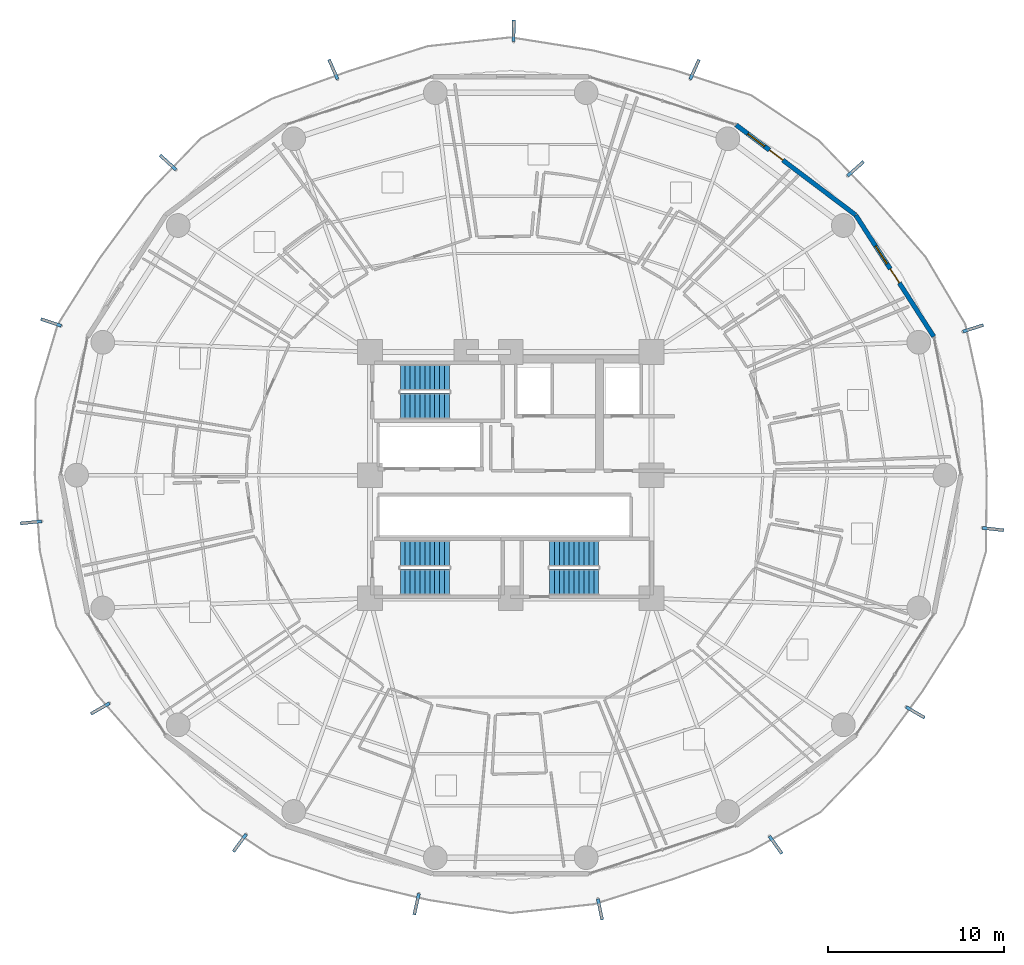
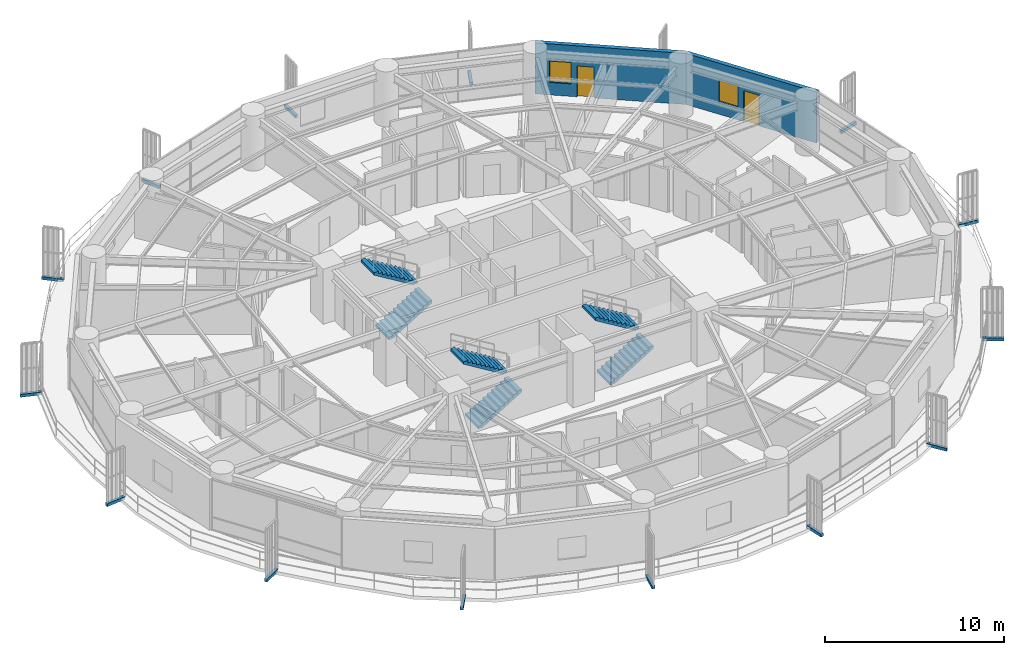
# One storey, part 31 of 35: 15 discrete accessories, 6 stair flights, 2 doors, 2 walls, 2 windows, 4 openings, 3 elements without a shape of their own.
"""IFC4 building model written with IfcOpenShell, lengths in metres."""

from ifc_helpers import new_model, si_unit, direction, frame, frame_2d, origin, origin_2d, place, context, subcontext, project, spatial, polyline, rectangle, outline, extrude, source, transform, mapped, material, layer, layer_set, type_object, element, fill, aggregate, save


model = new_model("IFC4")

# Units and contexts
model_context = context("Model", 3, precision=1e-05, world=origin(), true_north=direction((0.0, 1.0)))
body_context = subcontext(model_context, "Body", "Model", "MODEL_VIEW")
ifc_project = project(units=[si_unit("LENGTHUNIT", "METRE"), si_unit("AREAUNIT", "SQUARE_METRE"), si_unit("VOLUMEUNIT", "CUBIC_METRE"), si_unit("PLANEANGLEUNIT", "RADIAN"), si_unit("MASSUNIT", "GRAM", prefix="KILO")], contexts=[model_context])

# Site, building, storey
site_placement = place(None, origin())
site = spatial("IfcSite", under=ifc_project, at=site_placement, CompositionType="ELEMENT")
building_placement = place(site_placement, origin())
building = spatial("IfcBuilding", under=site, at=building_placement, Name="Kelanora Arch Commons", CompositionType="ELEMENT")
storey_placement = place(building_placement, frame((0.0, 0.0, 95.10009765625)))
storey = spatial("IfcBuildingStorey", under=building, at=storey_placement, Name="L24", CompositionType="ELEMENT", Elevation=95.10009765625)

# Wall, openings, door, window
ifc_material_1 = material(Name="Precast concrete C40/50 with terracotta rainscreen", Category="masonry")
ifc_layer = layer(ifc_material_1, 0.260009765625)
ifc_layer_set = layer_set([ifc_layer], Name="Precast concrete C40/50 with terracotta rainscreen")
wall_type = type_object("IfcWallType", Name="W-EXT-TC", PredefinedType="SOLIDWALL", material=ifc_layer_set)
wall_1_placement = place(storey_placement, frame((98.048095703125, 65.879150390625, 0.0), z_axis=(0.0, 0.0, 1.0), x_axis=(-0.540620528459, 0.841266571432, 0.0)))
wall_1 = element("IfcWall", 1, at=wall_1_placement, inside=storey, type_object=wall_type, Name="Terracotta Exterior Wall L24-B01", PredefinedType="SOLIDWALL", context=body_context, shape_type="SweptSolid", body=[
    extrude(rectangle(XDim=8.19287109375, YDim=0.260009765625, at=frame_2d((4.096435546875, 0.0))), origin(), (0.0, 0.0, 1.0), 3.474853515625),
])
opening_1_placement = place(wall_1_placement, frame((3.62109375, 0.0, 0.0)))
opening_1 = element("IfcOpeningElement", 2, at=opening_1_placement, cuts=wall_1, Name="Opening DB-01", PredefinedType="OPENING", context=body_context, shape_type="SweptSolid", body=[
    extrude(rectangle(XDim=0.949951171875, YDim=2.10009765625, at=frame_2d((0.47509765625, 1.050048828125))), frame((0.0, 0.14013671875, 0.0), z_axis=(0.0, -1.0, 0.0), x_axis=(1.0, 0.0, 0.0)), (0.0, 0.0, 1.0), 0.280029296875),
])
opening_2_placement = place(wall_1_placement, frame((4.9208984375, 0.0, 0.85009765625)))
opening_2 = element("IfcOpeningElement", 3, at=opening_2_placement, cuts=wall_1, Name="Opening WN-02", PredefinedType="OPENING", context=body_context, shape_type="SweptSolid", body=[
    extrude(rectangle(XDim=1.199951171875, YDim=1.449951171875, at=frame_2d((0.60009765625, 0.72509765625))), frame((0.0, 0.14013671875, 0.0), z_axis=(0.0, -1.0, 0.0), x_axis=(1.0, 0.0, 0.0)), (0.0, 0.0, 1.0), 0.280029296875),
])
ifc_material_2 = material(Name="Terracotta-aluminium thermally broken glazed balcony door", Category="masonry")
door_type = type_object("IfcDoorType", Name="D-BAL-10", OperationType="NOTDEFINED", PredefinedType="DOOR", material=ifc_material_2)
door_1_placement = place(opening_1_placement, frame((0.949951171875, 0.0, 0.0), z_axis=(0.0, 0.0, 1.0), x_axis=(-1.0, 0.0, 0.0)))
door_1 = element("IfcDoor", 4, at=door_1_placement, inside=storey, type_object=door_type, Name="Wave Balcony Door L24-B01", OperationType="SINGLE_SWING_RIGHT", OverallHeight=2.10009765625, OverallWidth=0.949951171875, PredefinedType="DOOR", context=body_context, shape_type="SweptSolid", body=[
    extrude(rectangle(XDim=0.949951171875, YDim=2.10009765625, at=frame_2d((0.47509765625, 1.050048828125))), frame((0.0, 0.02490234375, 0.0), z_axis=(0.0, -1.0, 0.0), x_axis=(1.0, 0.0, 0.0)), (0.0, 0.0, 1.0), 0.050048828125),
])
fill(opening_1, door_1)
ifc_material_3 = material(Name="Terracotta-anodised aluminium frame with operable awning sash", Category="masonry")
window_type = type_object("IfcWindowType", Name="WIN-CL-12", PartitioningType="SINGLE_PANEL", PredefinedType="WINDOW", material=ifc_material_3)
window_1_placement = place(opening_2_placement, origin())
window_1 = element("IfcWindow", 5, at=window_1_placement, inside=storey, type_object=window_type, Name="Co-Living Operable Window L24-B01", OverallHeight=1.449951171875, OverallWidth=1.199951171875, PartitioningType="SINGLE_PANEL", PredefinedType="WINDOW", context=body_context, shape_type="SweptSolid", body=[
    extrude(rectangle(XDim=1.199951171875, YDim=1.449951171875, at=frame_2d((0.60009765625, 0.72509765625))), frame((0.0, 0.030029296875, 0.0), z_axis=(0.0, -1.0, 0.0), x_axis=(1.0, 0.0, 0.0)), (0.0, 0.0, 1.0), 0.06005859375),
])
fill(opening_2, window_1)

wall_2_placement = place(storey_placement, frame((93.5986328125, 72.793212890625, 0.0), z_axis=(0.0, 0.0, 1.0), x_axis=(-0.798501507879, 0.601992808857, 0.0)))
wall_2 = element("IfcWall", 6, at=wall_2_placement, inside=storey, type_object=wall_type, Name="Terracotta Exterior Wall L24-B02", PredefinedType="SOLIDWALL", context=body_context, shape_type="SweptSolid", body=[
    extrude(rectangle(XDim=8.499267578125, YDim=0.260009765625, at=frame_2d((4.24951171875, 0.0))), origin(), (0.0, 0.0, 1.0), 3.474853515625),
])
opening_3_placement = place(wall_2_placement, frame((5.175048828125, 0.0, 0.0)))
opening_3 = element("IfcOpeningElement", 7, at=opening_3_placement, cuts=wall_2, Name="Opening DB-01", PredefinedType="OPENING", context=body_context, shape_type="SweptSolid", body=[
    extrude(rectangle(XDim=0.949951171875, YDim=2.10009765625, at=frame_2d((0.47509765625, 1.050048828125))), frame((0.0, 0.14013671875, 0.0), z_axis=(0.0, -1.0, 0.0), x_axis=(1.0, 0.0, 0.0)), (0.0, 0.0, 1.0), 0.280029296875),
])
opening_4_placement = place(wall_2_placement, frame((6.47509765625, 0.0, 0.85009765625)))
opening_4 = element("IfcOpeningElement", 8, at=opening_4_placement, cuts=wall_2, Name="Opening WN-02", PredefinedType="OPENING", context=body_context, shape_type="SweptSolid", body=[
    extrude(rectangle(XDim=1.199951171875, YDim=1.449951171875, at=frame_2d((0.60009765625, 0.72509765625))), frame((0.0, 0.14013671875, 0.0), z_axis=(0.0, -1.0, 0.0), x_axis=(1.0, 0.0, 0.0)), (0.0, 0.0, 1.0), 0.280029296875),
])
door_2_placement = place(opening_3_placement, frame((0.949951171875, 0.0, 0.0), z_axis=(0.0, 0.0, 1.0), x_axis=(-1.0, 0.0, 0.0)))
door_2 = element("IfcDoor", 9, at=door_2_placement, inside=storey, type_object=door_type, Name="Wave Balcony Door L24-B02", OperationType="SINGLE_SWING_LEFT", OverallHeight=2.10009765625, OverallWidth=0.949951171875, PredefinedType="DOOR", context=body_context, shape_type="SweptSolid", body=[
    extrude(rectangle(XDim=0.949951171875, YDim=2.10009765625, at=frame_2d((0.47509765625, 1.050048828125))), frame((0.0, 0.02490234375, 0.0), z_axis=(0.0, -1.0, 0.0), x_axis=(1.0, 0.0, 0.0)), (0.0, 0.0, 1.0), 0.050048828125),
])
fill(opening_3, door_2)
window_2_placement = place(opening_4_placement, origin())
window_2 = element("IfcWindow", 10, at=window_2_placement, inside=storey, type_object=window_type, Name="Co-Living Operable Window L24-B02", OverallHeight=1.449951171875, OverallWidth=1.199951171875, PartitioningType="SINGLE_PANEL", PredefinedType="WINDOW", context=body_context, shape_type="SweptSolid", body=[
    extrude(rectangle(XDim=1.199951171875, YDim=1.449951171875, at=frame_2d((0.60009765625, 0.72509765625))), frame((0.0, 0.030029296875, 0.0), z_axis=(0.0, -1.0, 0.0), x_axis=(1.0, 0.0, 0.0)), (0.0, 0.0, 1.0), 0.06005859375),
])
fill(opening_4, window_2)

# Stair, stair flights
ifc_material_4 = material(Name="Concrete C40/50", Category="concrete")
stair_type = type_object("IfcStairType", Name="STR-DL-375", PredefinedType="HALF_TURN_STAIR", material=ifc_material_4)
stair_1_placement = place(storey_placement, origin())
stair_1 = element("IfcStair", 11, at=stair_1_placement, inside=storey, type_object=stair_type, Name="L24 ST-T1", PredefinedType="HALF_TURN_STAIR")
stair_flight_type = type_object("IfcStairFlightType", Name="FLT-DL-375", PredefinedType="STRAIGHT", material=ifc_material_4)
stair_flight_1_placement = place(storey_placement, frame((67.719970703125, 61.919921875, 0.0), z_axis=(0.0, 0.0, 1.0), x_axis=(1.0, 0.0, 0.0)))
stair_flight_1 = element("IfcStairFlight", 12, at=stair_flight_1_placement, type_object=stair_flight_type, Name="ST-T1 flight 1", NumberOfRisers=11, NumberOfTreads=10, PredefinedType="STRAIGHT", RiserHeight=0.170454545, TreadLength=0.28, context=body_context, shape_type="SweptSolid", body=[
    extrude(outline(polyline([(0.0, 0.0), (0.0, 0.17041015625), (0.280029296875, 0.17041015625), (0.280029296875, 0.3408203125), (0.56005859375, 0.3408203125), (0.56005859375, 0.511474609375), (0.840087890625, 0.511474609375), (0.840087890625, 0.681884765625), (1.1201171875, 0.681884765625), (1.1201171875, 0.852294921875), (1.39990234375, 0.852294921875), (1.39990234375, 1.022705078125), (1.679931640625, 1.022705078125), (1.679931640625, 1.193115234375), (1.9599609375, 1.193115234375), (1.9599609375, 1.363525390625), (2.239990234375, 1.363525390625), (2.239990234375, 1.5341796875), (2.52001953125, 1.5341796875), (2.52001953125, 1.70458984375), (2.800048828125, 1.70458984375), (2.800048828125, 1.875), (2.800048828125, 1.529052734375), (0.288330078125, 0.0), (0.0, 0.0)])), frame((0.0, 0.739990234375, 0.0), z_axis=(0.0, -1.0, 0.0), x_axis=(1.0, 0.0, 0.0)), (0.0, 0.0, 1.0), 1.47998046875),
])
stair_flight_2_placement = place(storey_placement, frame((70.52001953125, 63.550048828125, 1.875), z_axis=(0.0, 0.0, 1.0), x_axis=(-1.0, 0.0, 0.0)))
stair_flight_2 = element("IfcStairFlight", 13, at=stair_flight_2_placement, type_object=stair_flight_type, Name="ST-T1 flight 2", NumberOfRisers=11, NumberOfTreads=10, PredefinedType="STRAIGHT", RiserHeight=0.170454545, TreadLength=0.28, context=body_context, shape_type="SweptSolid", body=[
    extrude(outline(polyline([(0.0, 0.0), (0.0, 0.17041015625), (0.280029296875, 0.17041015625), (0.280029296875, 0.3408203125), (0.56005859375, 0.3408203125), (0.56005859375, 0.511474609375), (0.840087890625, 0.511474609375), (0.840087890625, 0.681884765625), (1.1201171875, 0.681884765625), (1.1201171875, 0.852294921875), (1.39990234375, 0.852294921875), (1.39990234375, 1.022705078125), (1.679931640625, 1.022705078125), (1.679931640625, 1.193115234375), (1.9599609375, 1.193115234375), (1.9599609375, 1.363525390625), (2.239990234375, 1.363525390625), (2.239990234375, 1.5341796875), (2.52001953125, 1.5341796875), (2.52001953125, 1.70458984375), (2.800048828125, 1.70458984375), (2.800048828125, 1.875), (2.800048828125, 1.529052734375), (0.288330078125, 0.0), (0.0, 0.0)])), frame((0.0, 0.739990234375, 0.0), z_axis=(0.0, -1.0, 0.0), x_axis=(1.0, 0.0, 0.0)), (0.0, 0.0, 1.0), 1.47998046875),
])
aggregate(stair_1, [stair_flight_1, stair_flight_2])

stair_2_placement = place(storey_placement, origin())
stair_2 = element("IfcStair", 14, at=stair_2_placement, inside=storey, type_object=stair_type, Name="L24 ST-T2", PredefinedType="HALF_TURN_STAIR")
stair_flight_3_placement = place(storey_placement, frame((76.199951171875, 51.919921875, 0.0), z_axis=(0.0, 0.0, 1.0), x_axis=(1.0, 0.0, 0.0)))
stair_flight_3 = element("IfcStairFlight", 15, at=stair_flight_3_placement, type_object=stair_flight_type, Name="ST-T2 flight 1", NumberOfRisers=11, NumberOfTreads=10, PredefinedType="STRAIGHT", RiserHeight=0.170454545, TreadLength=0.28, context=body_context, shape_type="SweptSolid", body=[
    extrude(outline(polyline([(0.0, 0.0), (0.0, 0.17041015625), (0.280029296875, 0.17041015625), (0.280029296875, 0.3408203125), (0.56005859375, 0.3408203125), (0.56005859375, 0.511474609375), (0.840087890625, 0.511474609375), (0.840087890625, 0.681884765625), (1.1201171875, 0.681884765625), (1.1201171875, 0.852294921875), (1.39990234375, 0.852294921875), (1.39990234375, 1.022705078125), (1.679931640625, 1.022705078125), (1.679931640625, 1.193115234375), (1.9599609375, 1.193115234375), (1.9599609375, 1.363525390625), (2.239990234375, 1.363525390625), (2.239990234375, 1.5341796875), (2.52001953125, 1.5341796875), (2.52001953125, 1.70458984375), (2.800048828125, 1.70458984375), (2.800048828125, 1.875), (2.800048828125, 1.529052734375), (0.288330078125, 0.0), (0.0, 0.0)])), frame((0.0, 0.739990234375, 0.0), z_axis=(0.0, -1.0, 0.0), x_axis=(1.0, 0.0, 0.0)), (0.0, 0.0, 1.0), 1.47998046875),
])
stair_flight_4_placement = place(storey_placement, frame((79.0, 53.550048828125, 1.875), z_axis=(0.0, 0.0, 1.0), x_axis=(-1.0, 0.0, 0.0)))
stair_flight_4 = element("IfcStairFlight", 16, at=stair_flight_4_placement, type_object=stair_flight_type, Name="ST-T2 flight 2", NumberOfRisers=11, NumberOfTreads=10, PredefinedType="STRAIGHT", RiserHeight=0.170454545, TreadLength=0.28, context=body_context, shape_type="SweptSolid", body=[
    extrude(outline(polyline([(0.0, 0.0), (0.0, 0.17041015625), (0.280029296875, 0.17041015625), (0.280029296875, 0.3408203125), (0.56005859375, 0.3408203125), (0.56005859375, 0.511474609375), (0.840087890625, 0.511474609375), (0.840087890625, 0.681884765625), (1.1201171875, 0.681884765625), (1.1201171875, 0.852294921875), (1.39990234375, 0.852294921875), (1.39990234375, 1.022705078125), (1.679931640625, 1.022705078125), (1.679931640625, 1.193115234375), (1.9599609375, 1.193115234375), (1.9599609375, 1.363525390625), (2.239990234375, 1.363525390625), (2.239990234375, 1.5341796875), (2.52001953125, 1.5341796875), (2.52001953125, 1.70458984375), (2.800048828125, 1.70458984375), (2.800048828125, 1.875), (2.800048828125, 1.529052734375), (0.288330078125, 0.0), (0.0, 0.0)])), frame((0.0, 0.739990234375, 0.0), z_axis=(0.0, -1.0, 0.0), x_axis=(1.0, 0.0, 0.0)), (0.0, 0.0, 1.0), 1.47998046875),
])
aggregate(stair_2, [stair_flight_3, stair_flight_4])

stair_3_placement = place(storey_placement, origin())
stair_3 = element("IfcStair", 17, at=stair_3_placement, inside=storey, type_object=stair_type, Name="L24 ST-T3", PredefinedType="HALF_TURN_STAIR")
stair_flight_5_placement = place(storey_placement, frame((67.719970703125, 51.919921875, 0.0), z_axis=(0.0, 0.0, 1.0), x_axis=(1.0, 0.0, 0.0)))
stair_flight_5 = element("IfcStairFlight", 18, at=stair_flight_5_placement, type_object=stair_flight_type, Name="ST-T3 flight 1", NumberOfRisers=11, NumberOfTreads=10, PredefinedType="STRAIGHT", RiserHeight=0.170454545, TreadLength=0.28, context=body_context, shape_type="SweptSolid", body=[
    extrude(outline(polyline([(0.0, 0.0), (0.0, 0.17041015625), (0.280029296875, 0.17041015625), (0.280029296875, 0.3408203125), (0.56005859375, 0.3408203125), (0.56005859375, 0.511474609375), (0.840087890625, 0.511474609375), (0.840087890625, 0.681884765625), (1.1201171875, 0.681884765625), (1.1201171875, 0.852294921875), (1.39990234375, 0.852294921875), (1.39990234375, 1.022705078125), (1.679931640625, 1.022705078125), (1.679931640625, 1.193115234375), (1.9599609375, 1.193115234375), (1.9599609375, 1.363525390625), (2.239990234375, 1.363525390625), (2.239990234375, 1.5341796875), (2.52001953125, 1.5341796875), (2.52001953125, 1.70458984375), (2.800048828125, 1.70458984375), (2.800048828125, 1.875), (2.800048828125, 1.529052734375), (0.288330078125, 0.0), (0.0, 0.0)])), frame((0.0, 0.739990234375, 0.0), z_axis=(0.0, -1.0, 0.0), x_axis=(1.0, 0.0, 0.0)), (0.0, 0.0, 1.0), 1.47998046875),
])
stair_flight_6_placement = place(storey_placement, frame((70.52001953125, 53.550048828125, 1.875), z_axis=(0.0, 0.0, 1.0), x_axis=(-1.0, 0.0, 0.0)))
stair_flight_6 = element("IfcStairFlight", 19, at=stair_flight_6_placement, type_object=stair_flight_type, Name="ST-T3 flight 2", NumberOfRisers=11, NumberOfTreads=10, PredefinedType="STRAIGHT", RiserHeight=0.170454545, TreadLength=0.28, context=body_context, shape_type="SweptSolid", body=[
    extrude(outline(polyline([(0.0, 0.0), (0.0, 0.17041015625), (0.280029296875, 0.17041015625), (0.280029296875, 0.3408203125), (0.56005859375, 0.3408203125), (0.56005859375, 0.511474609375), (0.840087890625, 0.511474609375), (0.840087890625, 0.681884765625), (1.1201171875, 0.681884765625), (1.1201171875, 0.852294921875), (1.39990234375, 0.852294921875), (1.39990234375, 1.022705078125), (1.679931640625, 1.022705078125), (1.679931640625, 1.193115234375), (1.9599609375, 1.193115234375), (1.9599609375, 1.363525390625), (2.239990234375, 1.363525390625), (2.239990234375, 1.5341796875), (2.52001953125, 1.5341796875), (2.52001953125, 1.70458984375), (2.800048828125, 1.70458984375), (2.800048828125, 1.875), (2.800048828125, 1.529052734375), (0.288330078125, 0.0), (0.0, 0.0)])), frame((0.0, 0.739990234375, 0.0), z_axis=(0.0, -1.0, 0.0), x_axis=(1.0, 0.0, 0.0)), (0.0, 0.0, 1.0), 1.47998046875),
])
aggregate(stair_3, [stair_flight_5, stair_flight_6])

# Discrete accessories
ifc_material_5 = material(Name="Stainless steel 316 marine fin bracket", Category="steel")
discrete_accessory_type = type_object("IfcDiscreteAccessoryType", Name="ACC-FIN-BRK", PredefinedType="BRACKET", material=ifc_material_5)
shared_shape = source(origin(), body_context, "Body", "SweptSolid", [
    extrude(rectangle(XDim=1.220703125, YDim=0.179931640625, at=origin_2d()), origin(), (0.0, 0.0, 1.0), 0.199951171875),
])
for number, where, z_axis, x_axis, name in (
    (20, (93.602294921875, 75.416015625, -0.16015625), (0.0, 0.0, 1.0), (0.747566290977, 0.664187202975, 0.0), "Sweeping Fin Cantilever Spine Bracket L24-00"),
    (21, (84.45068359375, 81.059814453125, -0.16015625), (0.0, 0.0, 1.0), (0.412786516097, 0.91082780597, 0.0), "Sweeping Fin Cantilever Spine Bracket L24-01"),
    (22, (74.16748046875, 83.255126953125, -0.16015625), (0.0, 0.0, 1.0), (0.006632202536, 0.999978006703, 0.0), "Sweeping Fin Cantilever Spine Bracket L24-02"),
    (23, (63.912841796875, 81.06640625, -0.16015625), (0.0, 0.0, 1.0), (-0.400668879095, 0.916222925562, 0.0), "Sweeping Fin Cantilever Spine Bracket L24-03"),
    (24, (54.520751953125, 75.7744140625, -0.16015625), (0.0, 0.0, 1.0), (-0.738690671568, 0.674044576967, 0.0), "Sweeping Fin Cantilever Spine Bracket L24-04"),
    (25, (47.873291015625, 66.68115234375, -0.16015625), (0.0, 0.0, 1.0), (-0.948986136133, 0.315317797511, 0.0), "Sweeping Fin Cantilever Spine Bracket L24-05"),
    (26, (46.730712890625, 55.316650390625, -0.16015625), (0.0, 0.0, 1.0), (-0.995193276492, -0.097930293706, 0.0), "Sweeping Fin Cantilever Spine Bracket L24-06"),
    (27, (50.664306640625, 44.732666015625, -0.16015625), (0.0, 0.0, 1.0), (-0.869322458298, -0.494245347472, 0.0), "Sweeping Fin Cantilever Spine Bracket L24-07"),
    (28, (58.59716796875, 37.093017578125, -0.16015625), (0.0, 0.0, 1.0), (-0.593137889518, -0.805100890583, 0.0), "Sweeping Fin Cantilever Spine Bracket L24-08"),
    (29, (68.647216796875, 33.6142578125, -0.16015625), (0.0, 0.0, 1.0), (-0.214394391152, -0.9767471756, 0.0), "Sweeping Fin Cantilever Spine Bracket L24-09"),
    (30, (79.07568359375, 33.31640625, -0.16015625), (0.0, 0.0, 1.0), (0.201419845156, -0.979505000486, 0.0), "Sweeping Fin Cantilever Spine Bracket L24-10"),
    (31, (89.059814453125, 36.980224609375, -0.16015625), (0.0, 0.0, 1.0), (0.582406760395, -0.812897512265, 0.0), "Sweeping Fin Cantilever Spine Bracket L24-11"),
    (32, (97.001708984375, 44.515625, -0.16015625), (0.0, 0.0, 1.0), (0.862690255763, -0.505732659231, 0.0), "Sweeping Fin Cantilever Spine Bracket L24-12"),
    (33, (101.41357421875, 54.934814453125, -0.16015625), (0.0, 0.0, 1.0), (0.993806768614, -0.111122034978, 0.0), "Sweeping Fin Cantilever Spine Bracket L24-13"),
    (34, (100.285888671875, 66.348388671875, -0.16015625), (0.0, 0.0, 1.0), (0.95308506272, 0.302702598633, 0.0), "Sweeping Fin Cantilever Spine Bracket L24-14"),
):
    element("IfcDiscreteAccessory", number, at=place(storey_placement, frame(where, z_axis=z_axis, x_axis=x_axis)), inside=storey, type_object=discrete_accessory_type, Name=name, PredefinedType="BRACKET", context=body_context, shape_type="MappedRepresentation", body=[
        mapped(shared_shape, transform((0.0, 0.0, 0.0), scale=1.0)),
    ])

save(model, "model.ifc")
